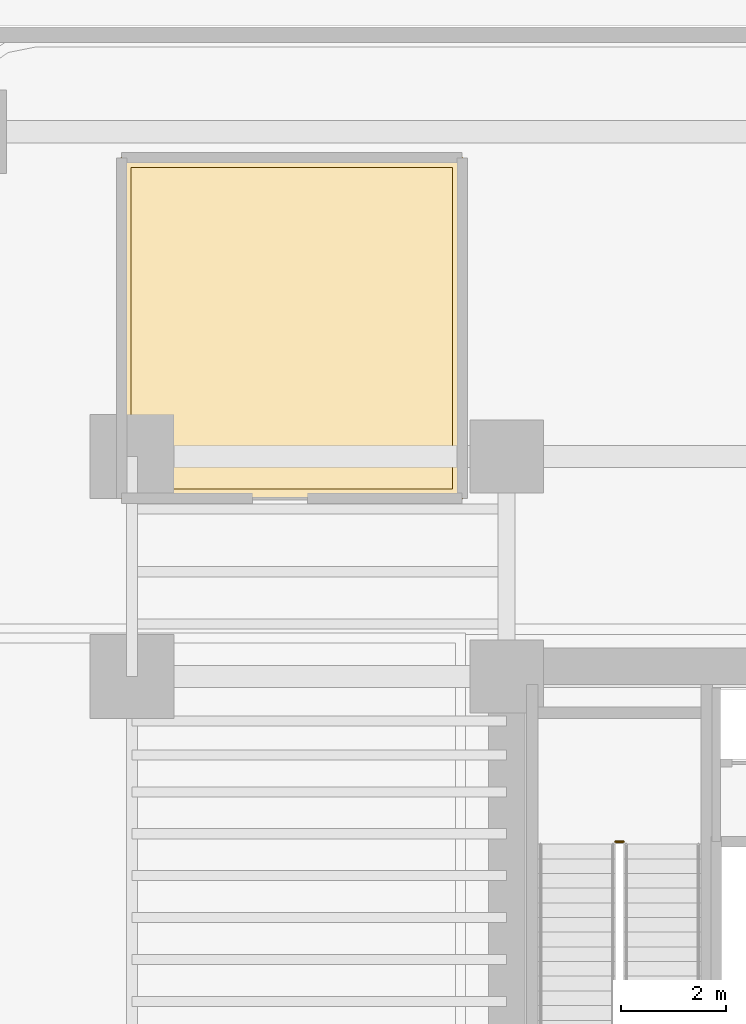
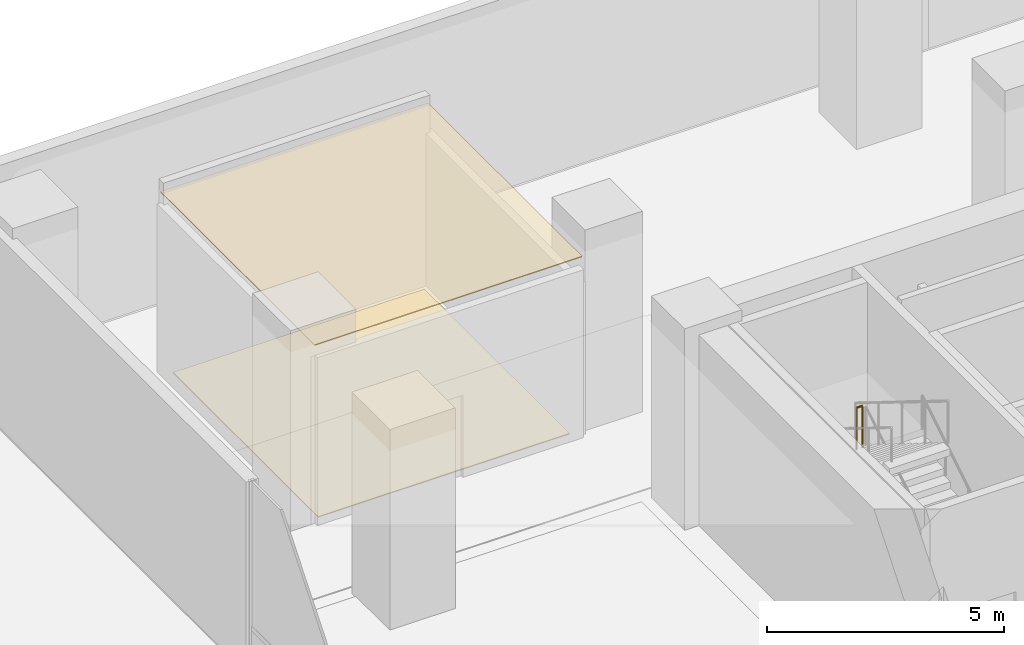
# One storey, part 24 of 27: 2 coverings, 1 railing.
"""IFC4 building model written with IfcOpenShell, lengths in metres."""

from ifc_helpers import new_model, si_unit, direction, frame, origin, origin_2d, place, context, subcontext, project, spatial, polyline, circle, outline, extrude, material, layer, layer_set, type_object, element, save


model = new_model("IFC4")

# Units and contexts
model_context = context("Model", 3, precision=1e-05, world=origin(), true_north=direction((0.0, 1.0)))
body_context = subcontext(model_context, "Body", "Model", "MODEL_VIEW")
ifc_project = project(units=[si_unit("LENGTHUNIT", "METRE"), si_unit("AREAUNIT", "SQUARE_METRE"), si_unit("VOLUMEUNIT", "CUBIC_METRE"), si_unit("PLANEANGLEUNIT", "RADIAN"), si_unit("MASSUNIT", "GRAM", prefix="KILO")], contexts=[model_context])

# Site, building, storey
site_placement = place(None, origin())
site = spatial("IfcSite", under=ifc_project, at=site_placement, CompositionType="ELEMENT")
building_placement = place(site_placement, origin())
building = spatial("IfcBuilding", under=site, at=building_placement, Name="Valdorenza Pilgrim Sanctuary Tower", CompositionType="ELEMENT")
storey_placement = place(building_placement, origin())
storey = spatial("IfcBuildingStorey", under=building, at=storey_placement, Name="L00", CompositionType="ELEMENT", Elevation=0.0)

# Coverings
ifc_material_1 = material(Name="Micro-perforated acoustic mineral ceiling tile", Category="gypsum")
ifc_layer_1 = layer(ifc_material_1, 0.02490234375, Name="Micro-perforated acoustic mineral ceiling tile")
ifc_layer_set_1 = layer_set([ifc_layer_1], Name="Micro-perforated acoustic mineral ceiling tile")
covering_type_1 = type_object("IfcCoveringType", Name="COV-CLG-ACU", PredefinedType="CEILING", material=ifc_layer_set_1)
covering_1_placement = place(storey_placement, frame((0.0, 0.0, 4.6201171875)))
element("IfcCovering", 1, at=covering_1_placement, inside=storey, type_object=covering_type_1, Name="L00 Fire Command Room Acoustic Ceiling", PredefinedType="CEILING", context=body_context, shape_type="SweptSolid", body=[
    extrude(outline(polyline([(-30.014892578125, 20.5), (-30.014892578125, 20.50146484375), (-30.0146484375, 20.5029296875), (-30.014404296875, 20.50439453125), (-30.013916015625, 20.505615234375), (-30.01318359375, 20.507080078125), (-30.012451171875, 20.50830078125), (-30.01171875, 20.509521484375), (-30.010498046875, 20.510498046875), (-30.009521484375, 20.51171875), (-30.00830078125, 20.512451171875), (-30.007080078125, 20.51318359375), (-30.005615234375, 20.513916015625), (-30.00439453125, 20.514404296875), (-30.0029296875, 20.5146484375), (-30.00146484375, 20.514892578125), (-30.0, 20.514892578125), (-23.5, 20.514892578125), (-23.49853515625, 20.514892578125), (-23.4970703125, 20.5146484375), (-23.49560546875, 20.514404296875), (-23.494384765625, 20.513916015625), (-23.492919921875, 20.51318359375), (-23.49169921875, 20.512451171875), (-23.490478515625, 20.51171875), (-23.489501953125, 20.510498046875), (-23.48828125, 20.509521484375), (-23.487548828125, 20.50830078125), (-23.48681640625, 20.507080078125), (-23.486083984375, 20.505615234375), (-23.485595703125, 20.50439453125), (-23.4853515625, 20.5029296875), (-23.485107421875, 20.50146484375), (-23.485107421875, 20.5), (-23.485107421875, 14.0), (-23.485107421875, 13.99853515625), (-23.4853515625, 13.9970703125), (-23.485595703125, 13.99560546875), (-23.486083984375, 13.994384765625), (-23.48681640625, 13.992919921875), (-23.487548828125, 13.99169921875), (-23.48828125, 13.990478515625), (-23.489501953125, 13.989501953125), (-23.490478515625, 13.98828125), (-23.49169921875, 13.987548828125), (-23.492919921875, 13.98681640625), (-23.494384765625, 13.986083984375), (-23.49560546875, 13.985595703125), (-23.4970703125, 13.9853515625), (-23.49853515625, 13.985107421875), (-23.5, 13.985107421875), (-30.0, 13.985107421875), (-30.00146484375, 13.985107421875), (-30.0029296875, 13.9853515625), (-30.00439453125, 13.985595703125), (-30.005615234375, 13.986083984375), (-30.007080078125, 13.98681640625), (-30.00830078125, 13.987548828125), (-30.009521484375, 13.98828125), (-30.010498046875, 13.989501953125), (-30.01171875, 13.990478515625), (-30.012451171875, 13.99169921875), (-30.01318359375, 13.992919921875), (-30.013916015625, 13.994384765625), (-30.014404296875, 13.99560546875), (-30.0146484375, 13.9970703125), (-30.014892578125, 13.99853515625), (-30.014892578125, 14.0), (-30.014892578125, 20.5)])), origin(), (0.0, 0.0, 1.0), 0.02490234375),
])
ifc_material_2 = material(Name="Engineered European oak timber flooring", Category="wood")
ifc_layer_2 = layer(ifc_material_2, 0.02197265625, Name="Engineered European oak timber flooring")
ifc_layer_set_2 = layer_set([ifc_layer_2], Name="Engineered European oak timber flooring")
covering_type_2 = type_object("IfcCoveringType", Name="COV-FLR-OAK", PredefinedType="FLOORING", material=ifc_layer_set_2)
covering_2_placement = place(storey_placement, origin())
element("IfcCovering", 2, at=covering_2_placement, inside=storey, type_object=covering_type_2, Name="L00 Fire Command Room Flooring", PredefinedType="FLOORING", context=body_context, shape_type="SweptSolid", body=[
    extrude(outline(polyline([(-29.820068359375, 20.320068359375), (-23.679931640625, 20.320068359375), (-23.679931640625, 14.179931640625), (-29.820068359375, 14.179931640625), (-29.820068359375, 20.320068359375)])), origin(), (0.0, 0.0, 1.0), 0.02490234375),
])

# Railing
ifc_material_3 = material(Name="Stainless steel Grade 316", Category="steel")
railing_type = type_object("IfcRailingType", Name="RLG-GRD-1120", PredefinedType="GUARDRAIL", material=ifc_material_3)
railing_placement = place(storey_placement, frame((-20.419921875, 7.449951171875, 2.60009765625)))
element("IfcRailing", 3, at=railing_placement, inside=storey, type_object=railing_type, Name="L00 ST-A1 stair guard 2", PredefinedType="GUARDRAIL", context=body_context, shape_type="SweptSolid", body=[
    extrude(circle(Radius=0.02392578125, at=origin_2d()), frame((0.0, 0.0, 1.076171875), z_axis=(-1.0, 0.0, 0.0), x_axis=(0.0, -1.0, 0.0)), (0.0, 0.0, 1.0), 0.150146484375),
    extrude(circle(Radius=0.02099609375, at=origin_2d()), origin(), (0.0, 0.0, 1.0), 1.052001953125),
    extrude(circle(Radius=0.02099609375, at=origin_2d()), frame((-0.150146484375, 0.0, 0.0)), (0.0, 0.0, 1.0), 1.052001953125),
])

save(model, "model.ifc")
